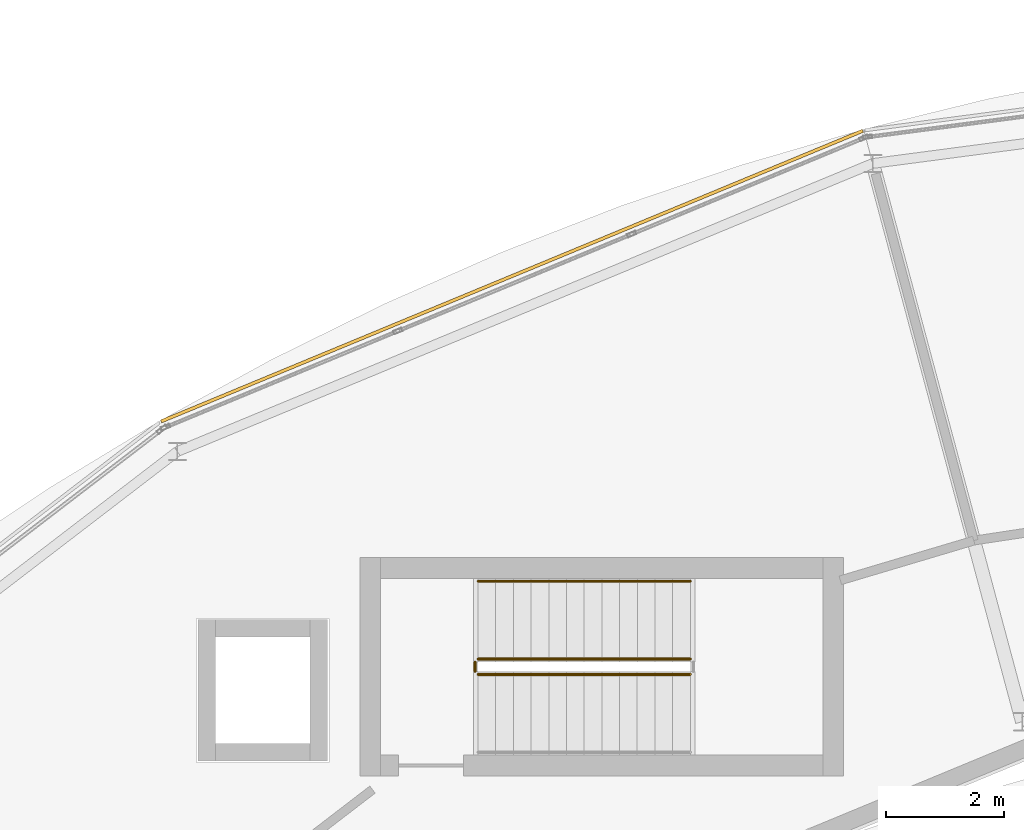
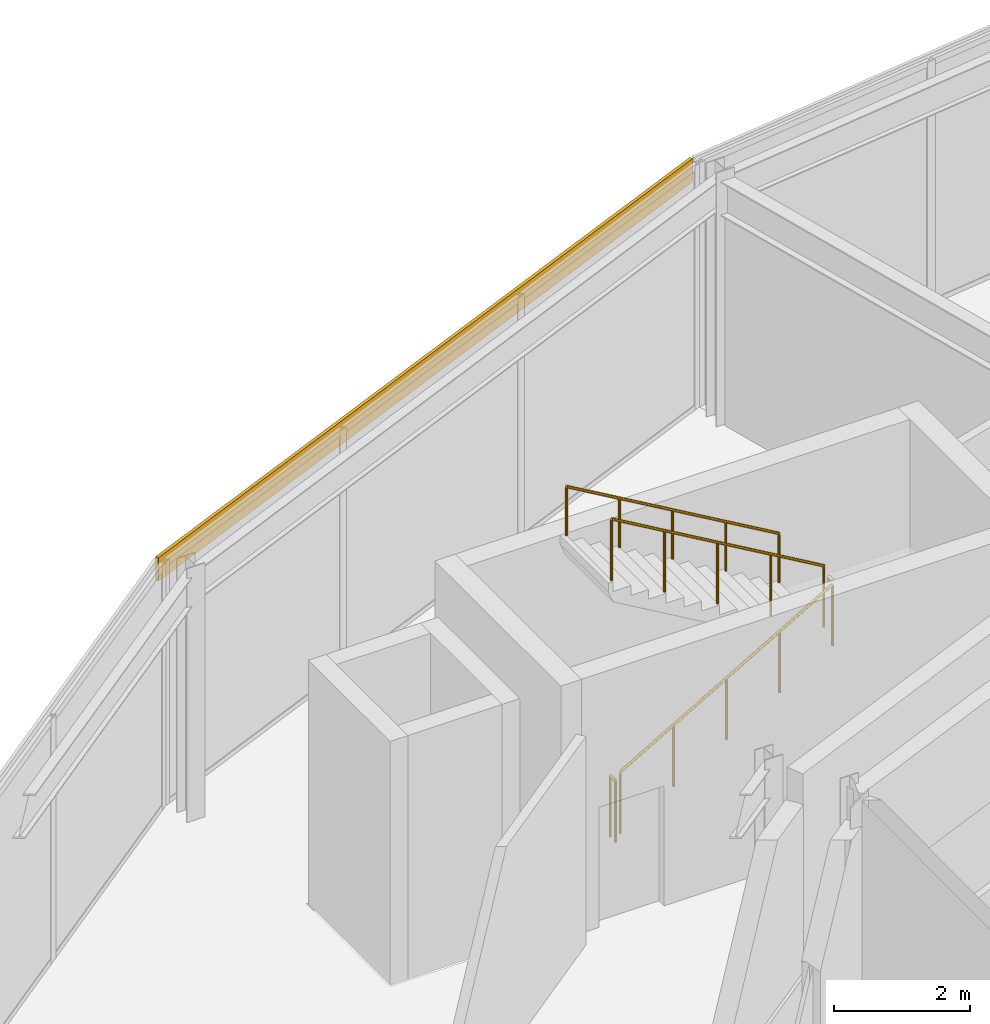
# One storey, part 106 of 116: 4 railings, 1 covering.
"""IFC4 building model written with IfcOpenShell, lengths in metres."""

from ifc_helpers import new_model, si_unit, direction, frame, origin, origin_2d, place, context, subcontext, project, spatial, rectangle, circle, extrude, material, layer, layer_set, type_object, element, save


model = new_model("IFC4")

# Units and contexts
model_context = context("Model", 3, precision=1e-05, world=origin(), true_north=direction((0.0, 1.0)))
body_context = subcontext(model_context, "Body", "Model", "MODEL_VIEW")
ifc_project = project(units=[si_unit("LENGTHUNIT", "METRE"), si_unit("AREAUNIT", "SQUARE_METRE"), si_unit("VOLUMEUNIT", "CUBIC_METRE"), si_unit("PLANEANGLEUNIT", "RADIAN"), si_unit("MASSUNIT", "GRAM", prefix="KILO")], contexts=[model_context])

# Site, building, storey
site_placement = place(None, origin())
site = spatial("IfcSite", under=ifc_project, at=site_placement, CompositionType="ELEMENT")
building_placement = place(site_placement, origin())
building = spatial("IfcBuilding", under=site, at=building_placement, Name="Almandine Court Research Institute", CompositionType="ELEMENT")
storey_placement = place(building_placement, frame((0.0, 0.0, 14.35009765625)))
storey = spatial("IfcBuildingStorey", under=building, at=storey_placement, Name="L03", CompositionType="ELEMENT", Elevation=14.35009765625)

# Covering
ifc_material_1 = material(Name="Extruded Cream-Ochre Seismic Terracotta Spandrel", Category="masonry")
ifc_layer = layer(ifc_material_1, 0.054931640625)
ifc_layer_set = layer_set([ifc_layer], Name="Extruded Cream-Ochre Seismic Terracotta Spandrel")
covering_type = type_object("IfcCoveringType", Name="Cov-CLAD-TERR", PredefinedType="CLADDING", material=ifc_layer_set)
covering_placement = place(storey_placement, frame((68.22607421875, 101.323974609375, 3.97998046875), z_axis=(0.0, 0.0, 1.0), x_axis=(0.923879532511, 0.382683432365, 0.0)))
element("IfcCovering", 1, at=covering_placement, inside=storey, type_object=covering_type, Name="L03 Drum Stacked Terracotta Ring Band 07", PredefinedType="CLADDING", context=body_context, shape_type="SweptSolid", body=[
    extrude(rectangle(XDim=12.8779296875, YDim=0.054931640625, at=origin_2d()), origin(), (0.0, 0.0, 1.0), 0.419921875),
])

# Railings
ifc_material_2 = material(Name="Powder-Coated Steel Stair and Atrium Balustrade", Category="steel")
railing_type_1 = type_object("IfcRailingType", Name="Rail-GUARD-INT", PredefinedType="BALUSTRADE", material=ifc_material_2)
railing_1_placement = place(storey_placement, frame((67.64990234375, 94.570068359375, 0.1748046875)))
element("IfcRailing", 2, at=railing_1_placement, inside=storey, type_object=railing_type_1, Name="L03 ST-10 stair guard 1", PredefinedType="BALUSTRADE", context=body_context, shape_type="SweptSolid", body=[
    extrude(circle(Radius=0.02392578125, at=origin_2d()), frame((0.0, 0.0, 1.09619140625), z_axis=(0.863774651768, 0.0, 0.503878309678), x_axis=(0.0, 1.0, 0.0)), (0.0, 0.0, 1.0), 4.16796875),
    extrude(circle(Radius=0.02099609375, at=origin_2d()), origin(), (0.0, 0.0, 1.0), 1.072021484375),
    extrude(circle(Radius=0.02099609375, at=origin_2d()), frame((0.89990234375, 0.0, 0.52490234375)), (0.0, 0.0, 1.0), 1.072021484375),
    extrude(circle(Radius=0.02099609375, at=origin_2d()), frame((1.800048828125, 0.0, 1.050048828125)), (0.0, 0.0, 1.0), 1.072021484375),
    extrude(circle(Radius=0.02099609375, at=origin_2d()), frame((2.7001953125, 0.0, 1.5751953125)), (0.0, 0.0, 1.0), 1.072021484375),
    extrude(circle(Radius=0.02099609375, at=origin_2d()), frame((3.60009765625, 0.0, 2.10009765625)), (0.0, 0.0, 1.0), 1.072021484375),
])
railing_2_placement = place(storey_placement, frame((71.25, 94.830078125, 2.449951171875)))
element("IfcRailing", 3, at=railing_2_placement, inside=storey, type_object=railing_type_1, Name="L03 ST-10 stair guard 3", PredefinedType="BALUSTRADE", context=body_context, shape_type="SweptSolid", body=[
    extrude(circle(Radius=0.02392578125, at=origin_2d()), frame((0.0, 0.0, 1.09619140625), z_axis=(-0.863800146258, 0.0, 0.503834603144), x_axis=(0.0, -1.0, 0.0)), (0.0, 0.0, 1.0), 4.167724609375),
    extrude(circle(Radius=0.02099609375, at=origin_2d()), origin(), (0.0, 0.0, 1.0), 1.072021484375),
    extrude(circle(Radius=0.02099609375, at=origin_2d()), frame((-0.89990234375, 0.0, 0.52490234375)), (0.0, 0.0, 1.0), 1.072021484375),
    extrude(circle(Radius=0.02099609375, at=origin_2d()), frame((-1.800048828125, 0.0, 1.0498046875)), (0.0, 0.0, 1.0), 1.072021484375),
    extrude(circle(Radius=0.02099609375, at=origin_2d()), frame((-2.7001953125, 0.0, 1.574951171875)), (0.0, 0.0, 1.0), 1.072021484375),
    extrude(circle(Radius=0.02099609375, at=origin_2d()), frame((-3.60009765625, 0.0, 2.099853515625)), (0.0, 0.0, 1.0), 1.072021484375),
])
railing_3_placement = place(storey_placement, frame((67.60009765625, 94.6201171875, 0.0)))
element("IfcRailing", 4, at=railing_3_placement, inside=storey, type_object=railing_type_1, Name="L03 ST-10 stair guard 4", PredefinedType="BALUSTRADE", context=body_context, shape_type="SweptSolid", body=[
    extrude(circle(Radius=0.02392578125, at=origin_2d()), frame((0.0, 0.0, 1.09619140625), z_axis=(0.0, 1.0, 0.0), x_axis=(-1.0, 0.0, 0.0)), (0.0, 0.0, 1.0), 0.159912109375),
    extrude(circle(Radius=0.02099609375, at=origin_2d()), origin(), (0.0, 0.0, 1.0), 1.072021484375),
    extrude(circle(Radius=0.02099609375, at=origin_2d()), frame((0.0, 0.159912109375, 0.0)), (0.0, 0.0, 1.0), 1.072021484375),
])
ifc_material_3 = material(Name="Brushed Stainless Steel Wall Handrail", Category="steel")
railing_type_2 = type_object("IfcRailingType", Name="Rail-HAND-INT", PredefinedType="HANDRAIL", material=ifc_material_3)
railing_4_placement = place(storey_placement, frame((71.25, 96.14990234375, 2.449951171875)))
element("IfcRailing", 5, at=railing_4_placement, inside=storey, type_object=railing_type_2, Name="L03 ST-10 stair handrail 2", PredefinedType="HANDRAIL", context=body_context, shape_type="SweptSolid", body=[
    extrude(circle(Radius=0.02392578125, at=origin_2d()), frame((0.0, 0.0, 0.8759765625), z_axis=(-0.863800146258, 0.0, 0.503834603144), x_axis=(0.0, -1.0, 0.0)), (0.0, 0.0, 1.0), 4.167724609375),
    extrude(circle(Radius=0.02099609375, at=origin_2d()), origin(), (0.0, 0.0, 1.0), 0.851806640625),
    extrude(circle(Radius=0.02099609375, at=origin_2d()), frame((-0.89990234375, 0.0, 0.52490234375)), (0.0, 0.0, 1.0), 0.851806640625),
    extrude(circle(Radius=0.02099609375, at=origin_2d()), frame((-1.800048828125, 0.0, 1.0498046875)), (0.0, 0.0, 1.0), 0.851806640625),
    extrude(circle(Radius=0.02099609375, at=origin_2d()), frame((-2.7001953125, 0.0, 1.574951171875)), (0.0, 0.0, 1.0), 0.851806640625),
    extrude(circle(Radius=0.02099609375, at=origin_2d()), frame((-3.60009765625, 0.0, 2.099853515625)), (0.0, 0.0, 1.0), 0.851806640625),
])

save(model, "model.ifc")
